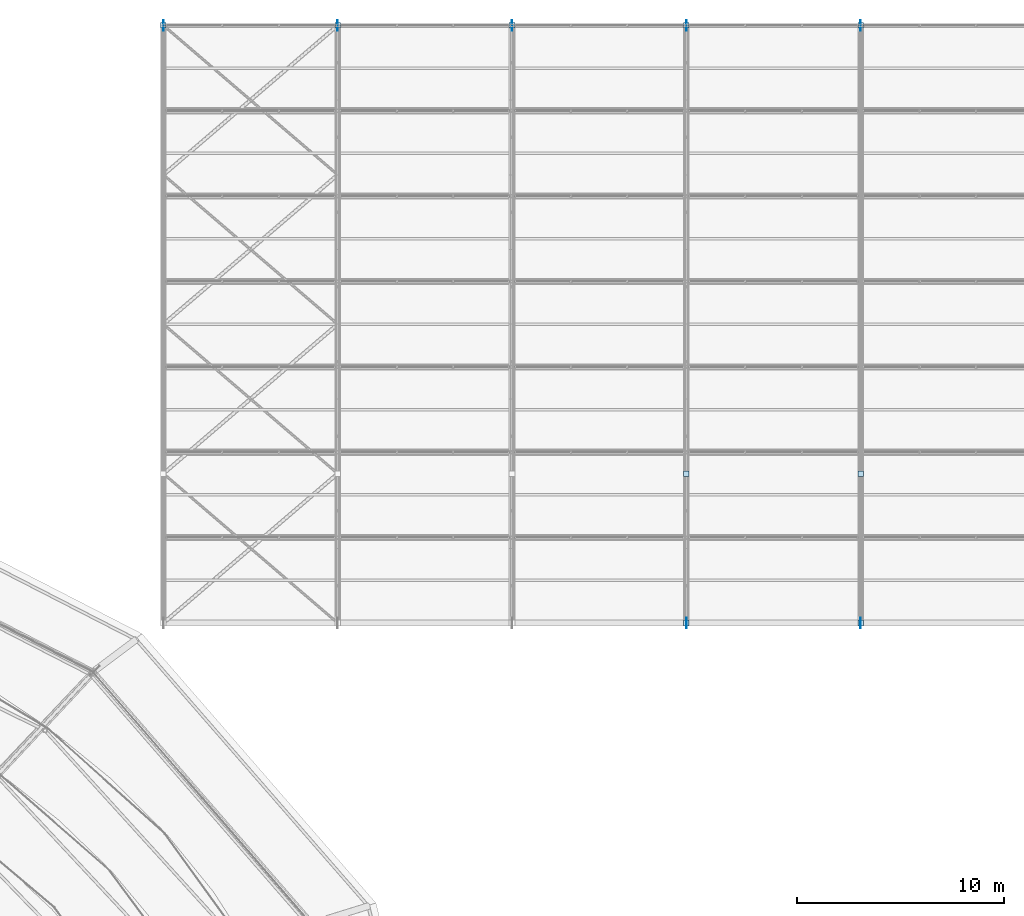
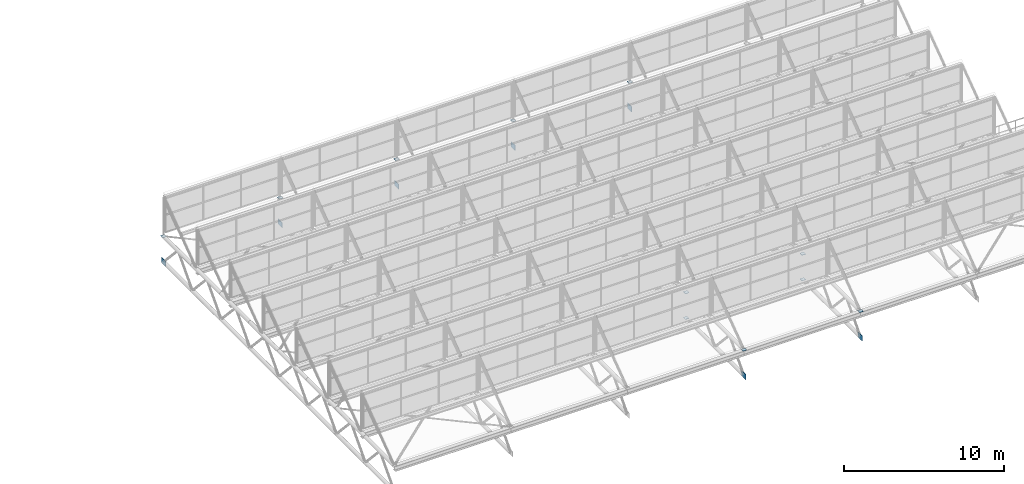
# One storey, part 123 of 134: 18 plates.
"""IFC4 building model written with IfcOpenShell, lengths in metres."""

from ifc_helpers import new_model, si_unit, derived_unit, direction, frame, origin, origin_2d, place, context, subcontext, project, spatial, rectangle, extrude, material, layer, layer_set, type_object, element, save


model = new_model("IFC4")

# Units and contexts
model_context = context("Model", 3, precision=1e-05, world=origin(), true_north=direction((0.0, 1.0)))
body_context = subcontext(model_context, "Body", "Model", "MODEL_VIEW")
ifc_project = project(units=[si_unit("LENGTHUNIT", "METRE"), si_unit("AREAUNIT", "SQUARE_METRE"), si_unit("VOLUMEUNIT", "CUBIC_METRE"), si_unit("PLANEANGLEUNIT", "RADIAN"), si_unit("MASSUNIT", "GRAM", prefix="KILO"), derived_unit("THERMALTRANSMITTANCEUNIT", [(si_unit("MASSUNIT", "GRAM", prefix="KILO"), 1), (si_unit("TIMEUNIT", "SECOND"), -3), (si_unit("THERMODYNAMICTEMPERATUREUNIT", "KELVIN"), -1)])], contexts=[model_context])

# Site, building, storey
site_placement = place(None, origin())
site = spatial("IfcSite", under=ifc_project, at=site_placement, CompositionType="ELEMENT")
building_placement = place(site_placement, origin())
building = spatial("IfcBuilding", under=site, at=building_placement, Name="Kharveza Railside Sports Centre", CompositionType="ELEMENT")
storey_placement = place(building_placement, frame((0.0, 0.0, 12.89990234375)))
storey = spatial("IfcBuildingStorey", under=building, at=storey_placement, Name="L03", CompositionType="ELEMENT", Elevation=12.89990234375)

# Plates
ifc_material = material(Name="Steel S355J2", Category="steel")
ifc_layer_1 = layer(ifc_material, 0.02001953125, Name="Steel S355J2")
ifc_layer_set_1 = layer_set([ifc_layer_1], Name="Steel S355J2")
plate_type_1 = type_object("IfcPlateType", Name="PL-EC05", PredefinedType="USERDEFINED", material=ifc_layer_set_1)
for number, where, z_axis, x_axis, name in (
    (1, (92.39990234375, 108.0, 1.940185546875), (0.0, 0.0, 1.0), (1.0, 0.0, 0.0), "PLT-EC-113"),
    (2, (100.800048828125, 108.0, 1.940185546875), (0.0, 0.0, 1.0), (1.0, 0.0, 0.0), "PLT-EC-117"),
    (3, (109.199951171875, 108.0, 1.940185546875), (0.0, 0.0, 1.0), (1.0, 0.0, 0.0), "PLT-EC-121"),
    (4, (117.60009765625, 79.199951171875, 1.940185546875), (0.0, 0.0, 1.0), (1.0, 0.0, 0.0), "PLT-EC-122"),
    (5, (117.60009765625, 86.39990234375, -0.010009765625), (0.0, 0.0, 1.0), (1.0, 0.0, 0.0), "PLT-EC-123"),
    (6, (117.60009765625, 86.39990234375, 1.940185546875), (0.0, 0.0, 1.0), (1.0, 0.0, 0.0), "PLT-EC-124"),
    (7, (117.60009765625, 108.0, 1.940185546875), (0.0, 0.0, 1.0), (1.0, 0.0, 0.0), "PLT-EC-125"),
    (8, (126.0, 79.199951171875, 1.940185546875), (0.0, 0.0, 1.0), (1.0, 0.0, 0.0), "PLT-EC-126"),
    (9, (126.0, 86.39990234375, -0.010009765625), (0.0, 0.0, 1.0), (1.0, 0.0, 0.0), "PLT-EC-127"),
    (10, (126.0, 86.39990234375, 1.940185546875), (0.0, 0.0, 1.0), (1.0, 0.0, 0.0), "PLT-EC-128"),
    (11, (126.0, 108.0, 1.940185546875), (0.0, 0.0, 1.0), (1.0, 0.0, 0.0), "PLT-EC-129"),
):
    element("IfcPlate", number, at=place(storey_placement, frame(where, z_axis=z_axis, x_axis=x_axis)), inside=storey, type_object=plate_type_1, Name=name, ObjectType="END_CAP_PLATE", PredefinedType="USERDEFINED", context=body_context, shape_type="SweptSolid", body=[
        extrude(rectangle(XDim=0.27294921875, YDim=0.27294921875, at=origin_2d()), origin(), (0.0, 0.0, 1.0), 0.02001953125),
    ])
ifc_layer_2 = layer(ifc_material, 0.02197265625, Name="Steel S355J2")
ifc_layer_set_2 = layer_set([ifc_layer_2], Name="Steel S355J2")
plate_type_2 = type_object("IfcPlateType", Name="PL-GS03", PredefinedType="USERDEFINED", material=ifc_layer_set_2)
for number, where, z_axis, x_axis, name in (
    (12, (92.39990234375, 108.0, -0.199951171875), (0.0, 0.0, 1.0), (1.0, 0.0, 0.0), "PLT-GS-V2-1-N"),
    (13, (100.800048828125, 108.0, -0.199951171875), (0.0, 0.0, 1.0), (1.0, 0.0, 0.0), "PLT-GS-V2-2-N"),
    (14, (109.199951171875, 108.0, -0.199951171875), (0.0, 0.0, 1.0), (1.0, 0.0, 0.0), "PLT-GS-V2-3-N"),
    (15, (117.60009765625, 79.199951171875, -0.199951171875), (0.0, 0.0, 1.0), (1.0, 0.0, 0.0), "PLT-GS-V2-4-S"),
    (16, (117.60009765625, 108.0, -0.199951171875), (0.0, 0.0, 1.0), (1.0, 0.0, 0.0), "PLT-GS-V2-4-N"),
    (17, (126.0, 79.199951171875, -0.199951171875), (0.0, 0.0, 1.0), (1.0, 0.0, 0.0), "PLT-GS-V2-5-S"),
    (18, (126.0, 108.0, -0.199951171875), (0.0, 0.0, 1.0), (1.0, 0.0, 0.0), "PLT-GS-V2-5-N"),
):
    element("IfcPlate", number, at=place(storey_placement, frame(where, z_axis=z_axis, x_axis=x_axis)), inside=storey, type_object=plate_type_2, Name=name, ObjectType="GUSSET_PLATE", PredefinedType="USERDEFINED", context=body_context, shape_type="SweptSolid", body=[
        extrude(rectangle(XDim=0.02197265625, YDim=0.52001953125, at=origin_2d()), origin(), (0.0, 0.0, 1.0), 0.39990234375),
    ])

save(model, "model.ifc")
